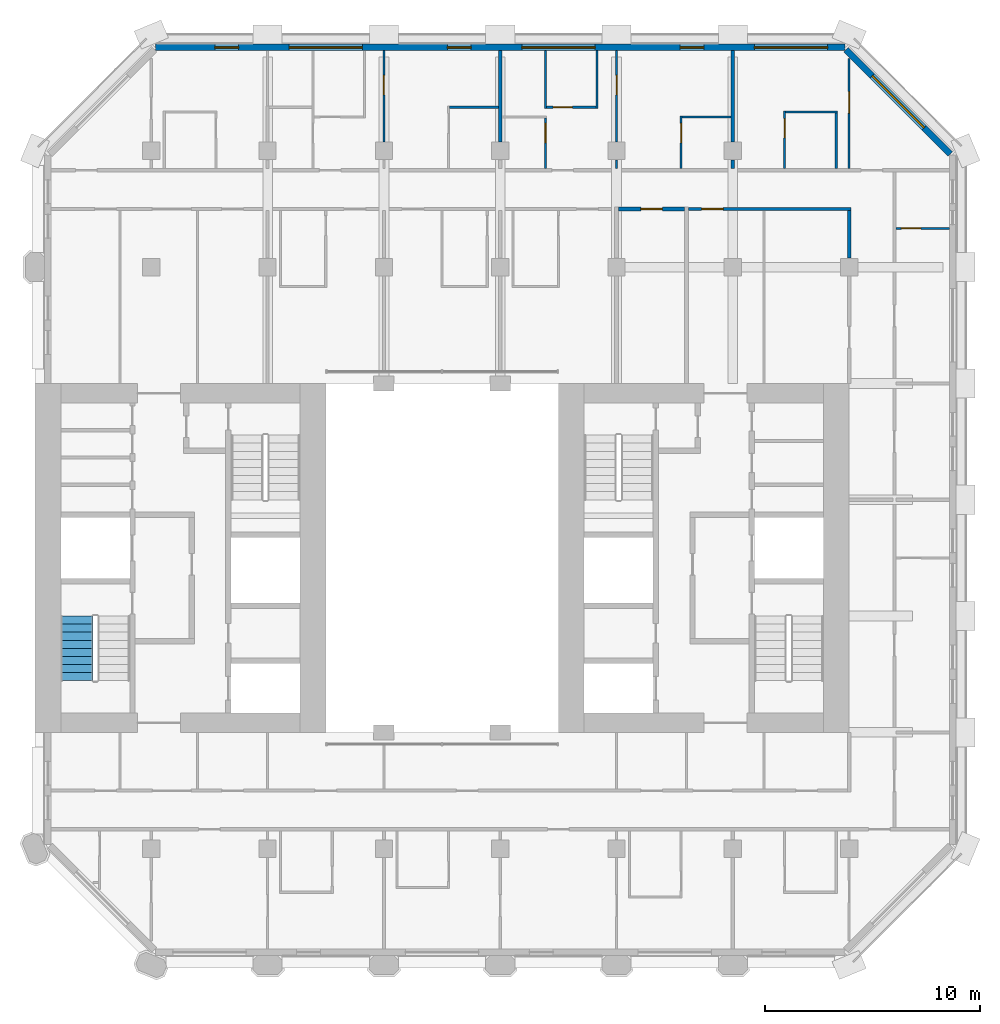
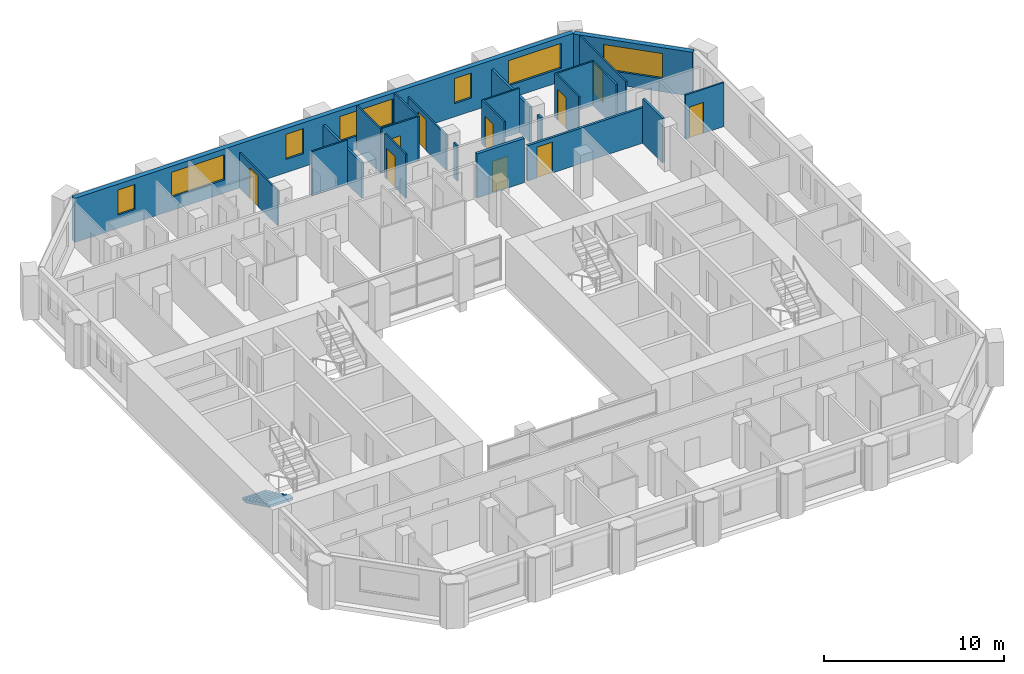
# One storey, part 9 of 13: 23 walls, 10 doors, 7 windows, 1 stair flight, 17 openings, 1 element without a shape of its own.
"""IFC4 building model written with IfcOpenShell, lengths in metres."""

from ifc_helpers import new_model, si_unit, direction, frame, frame_2d, origin, place, context, subcontext, project, spatial, polyline, rectangle, outline, extrude, material, layer, layer_set, type_object, element, fill, aggregate, save


model = new_model("IFC4")

# Units and contexts
model_context = context("Model", 3, precision=1e-05, world=origin(), true_north=direction((0.0, 1.0)))
body_context = subcontext(model_context, "Body", "Model", "MODEL_VIEW")
ifc_project = project(units=[si_unit("LENGTHUNIT", "METRE"), si_unit("AREAUNIT", "SQUARE_METRE"), si_unit("VOLUMEUNIT", "CUBIC_METRE"), si_unit("PLANEANGLEUNIT", "RADIAN"), si_unit("MASSUNIT", "GRAM", prefix="KILO")], contexts=[model_context])

# Site, building, storey
site_placement = place(None, origin())
site = spatial("IfcSite", under=ifc_project, at=site_placement, CompositionType="ELEMENT")
building_placement = place(site_placement, origin())
building = spatial("IfcBuilding", under=site, at=building_placement, Name="Tabaq Tower and Sports Hall", CompositionType="ELEMENT")
storey_placement = place(building_placement, frame((0.0, 0.0, 200.5)))
storey = spatial("IfcBuildingStorey", under=building, at=storey_placement, Name="L49", CompositionType="ELEMENT", Elevation=200.5)

# Wall, opening, door
ifc_material_1 = material(Name="Blockwork", Category="masonry")
ifc_layer_1 = layer(ifc_material_1, 0.199951171875)
ifc_layer_set_1 = layer_set([ifc_layer_1], Name="Fire compartment wall 200 Blockwork")
wall_type_1 = type_object("IfcWallType", Name="Fire compartment wall 200 Blockwork", PredefinedType="PARTITIONING", material=ifc_layer_set_1)
wall_1_placement = place(storey_placement, frame((32.5, 40.5, 0.0), z_axis=(0.0, 0.0, 1.0), x_axis=(1.0, 0.0, 0.0)))
wall_1 = element("IfcWall", 1, at=wall_1_placement, inside=storey, type_object=wall_type_1, Name="Compartment wall L49", PredefinedType="PARTITIONING", context=body_context, shape_type="SweptSolid", body=[
    extrude(rectangle(XDim=3.050048828125, YDim=0.199951171875, at=frame_2d((1.52490234375, 0.0))), origin(), (0.0, 0.0, 1.0), 3.0),
])
opening_1_placement = place(wall_1_placement, frame((1.02490234375, 0.0, 0.0)))
opening_1 = element("IfcOpeningElement", 2, at=opening_1_placement, cuts=wall_1, Name="Opening L49-015", PredefinedType="OPENING", context=body_context, shape_type="SweptSolid", body=[
    extrude(rectangle(XDim=1.0, YDim=2.10009765625, at=frame_2d((0.5, 1.050048828125))), frame((0.0, 0.10009765625, 0.0), z_axis=(0.0, -1.0, 0.0), x_axis=(1.0, 0.0, 0.0)), (0.0, 0.0, 1.0), 0.199951171875),
])
ifc_material_2 = material(Name="Steel fire door", Category="steel")
door_type_1 = type_object("IfcDoorType", Name="Riser door 1000 left hand", OperationType="SINGLE_SWING_LEFT", PredefinedType="DOOR", material=ifc_material_2)
door_1_placement = place(opening_1_placement, origin())
door_1 = element("IfcDoor", 3, at=door_1_placement, inside=storey, type_object=door_type_1, Name="Riser door L49-015", OperationType="SINGLE_SWING_LEFT", OverallHeight=2.10009765625, OverallWidth=1.0, PredefinedType="DOOR", context=body_context, shape_type="SweptSolid", body=[
    extrude(rectangle(XDim=1.0, YDim=2.10009765625, at=frame_2d((0.5, 1.050048828125))), frame((0.0, 0.02490234375, 0.0), z_axis=(0.0, -1.0, 0.0), x_axis=(1.0, 0.0, 0.0)), (0.0, 0.0, 1.0), 0.050048828125),
])
fill(opening_1, door_1)

ifc_material_3 = material(Name="Gypsum board on steel studs", Category="steel")
ifc_layer_2 = layer(ifc_material_3, 0.10009765625)
ifc_layer_set_2 = layer_set([ifc_layer_2], Name="Partition 100 Gypsum board")
wall_type_2 = type_object("IfcWallType", Name="Partition 100 Gypsum board", PredefinedType="PARTITIONING", material=ifc_layer_set_2)
wall_2_placement = place(storey_placement, frame((47.84912109375, 39.60009765625, 0.0), z_axis=(0.0, 0.0, 1.0), x_axis=(-1.0, 0.0, 0.0)))
wall_2 = element("IfcWall", 4, at=wall_2_placement, inside=storey, type_object=wall_type_2, Name="Partition wall L49", PredefinedType="PARTITIONING", context=body_context, shape_type="SweptSolid", body=[
    extrude(rectangle(XDim=2.47412109375, YDim=0.10009765625, at=frame_2d((1.237060546875, 0.0))), origin(), (0.0, 0.0, 1.0), 3.0),
])
opening_2_placement = place(wall_2_placement, frame((1.323974609375, 0.0, 0.0)))
opening_2 = element("IfcOpeningElement", 5, at=opening_2_placement, cuts=wall_2, Name="Opening L49-004", PredefinedType="OPENING", context=body_context, shape_type="SweptSolid", body=[
    extrude(rectangle(XDim=0.89990234375, YDim=2.10009765625, at=frame_2d((0.449951171875, 1.050048828125))), frame((0.0, 0.050048828125, 0.0), z_axis=(0.0, -1.0, 0.0), x_axis=(1.0, 0.0, 0.0)), (0.0, 0.0, 1.0), 0.10009765625),
])
ifc_material_4 = material(Name="Timber leaf in steel frame", Category="steel")
door_type_2 = type_object("IfcDoorType", Name="Internal door 900 right hand", OperationType="SINGLE_SWING_RIGHT", PredefinedType="DOOR", material=ifc_material_4)
door_2_placement = place(opening_2_placement, origin())
door_2 = element("IfcDoor", 6, at=door_2_placement, inside=storey, type_object=door_type_2, Name="Internal door L49-004", OperationType="SINGLE_SWING_RIGHT", OverallHeight=2.10009765625, OverallWidth=0.89990234375, PredefinedType="DOOR", context=body_context, shape_type="SweptSolid", body=[
    extrude(rectangle(XDim=0.89990234375, YDim=2.10009765625, at=frame_2d((0.449951171875, 1.050048828125))), frame((0.0, 0.02490234375, 0.0), z_axis=(0.0, -1.0, 0.0), x_axis=(1.0, 0.0, 0.0)), (0.0, 0.0, 1.0), 0.050048828125),
])
fill(opening_2, door_2)

wall_3_placement = place(storey_placement, frame((21.60009765625, 47.84912109375, 0.0), z_axis=(0.0, 0.0, 1.0), x_axis=(0.0, -1.0, 0.0)))
wall_3 = element("IfcWall", 7, at=wall_3_placement, inside=storey, type_object=wall_type_2, Name="Partition wall L49", PredefinedType="PARTITIONING", context=body_context, shape_type="SweptSolid", body=[
    extrude(rectangle(XDim=4.22900390625, YDim=0.10009765625, at=frame_2d((2.114501953125, 0.0))), origin(), (0.0, 0.0, 1.0), 2.39990234375),
])
opening_3_placement = place(wall_3_placement, frame((1.14892578125, 0.0, 0.0)))
opening_3 = element("IfcOpeningElement", 8, at=opening_3_placement, cuts=wall_3, Name="Opening L49-037", PredefinedType="OPENING", context=body_context, shape_type="SweptSolid", body=[
    extrude(rectangle(XDim=0.89990234375, YDim=2.10009765625, at=frame_2d((0.449951171875, 1.050048828125))), frame((0.0, 0.050048828125, 0.0), z_axis=(0.0, -1.0, 0.0), x_axis=(1.0, 0.0, 0.0)), (0.0, 0.0, 1.0), 0.10009765625),
])
ifc_material_5 = material(Name="Timber leaf in steel frame", Category="steel")
door_type_3 = type_object("IfcDoorType", Name="Internal door 900 left hand", OperationType="SINGLE_SWING_LEFT", PredefinedType="DOOR", material=ifc_material_5)
door_3_placement = place(opening_3_placement, origin())
door_3 = element("IfcDoor", 9, at=door_3_placement, inside=storey, type_object=door_type_3, Name="Internal door L49-037", OperationType="SINGLE_SWING_LEFT", OverallHeight=2.10009765625, OverallWidth=0.89990234375, PredefinedType="DOOR", context=body_context, shape_type="SweptSolid", body=[
    extrude(rectangle(XDim=0.89990234375, YDim=2.10009765625, at=frame_2d((0.449951171875, 1.050048828125))), frame((0.0, 0.02490234375, 0.0), z_axis=(0.0, -1.0, 0.0), x_axis=(1.0, 0.0, 0.0)), (0.0, 0.0, 1.0), 0.050048828125),
])
fill(opening_3, door_3)

# Wall
wall_4_placement = place(storey_placement, frame((24.64990234375, 45.22509765625, 0.0), z_axis=(0.0, 0.0, 1.0), x_axis=(1.0, 0.0, 0.0)))
element("IfcWall", 10, at=wall_4_placement, inside=storey, type_object=wall_type_2, Name="Partition wall L49", PredefinedType="PARTITIONING", context=body_context, shape_type="SweptSolid", body=[
    extrude(rectangle(XDim=2.275146484375, YDim=0.10009765625, at=frame_2d((1.1376953125, 0.0))), origin(), (0.0, 0.0, 1.0), 3.0),
])

# Wall, opening, door
wall_5_placement = place(storey_placement, frame((32.39990234375, 47.84912109375, 0.0), z_axis=(0.0, 0.0, 1.0), x_axis=(0.0, -1.0, 0.0)))
wall_5 = element("IfcWall", 11, at=wall_5_placement, inside=storey, type_object=wall_type_2, Name="Partition wall L49", PredefinedType="PARTITIONING", context=body_context, shape_type="SweptSolid", body=[
    extrude(rectangle(XDim=4.22900390625, YDim=0.10009765625, at=frame_2d((2.114501953125, 0.0))), origin(), (0.0, 0.0, 1.0), 2.39990234375),
])
opening_4_placement = place(wall_5_placement, frame((1.14892578125, 0.0, 0.0)))
opening_4 = element("IfcOpeningElement", 12, at=opening_4_placement, cuts=wall_5, Name="Opening L49-038", PredefinedType="OPENING", context=body_context, shape_type="SweptSolid", body=[
    extrude(rectangle(XDim=0.89990234375, YDim=2.10009765625, at=frame_2d((0.449951171875, 1.050048828125))), frame((0.0, 0.050048828125, 0.0), z_axis=(0.0, -1.0, 0.0), x_axis=(1.0, 0.0, 0.0)), (0.0, 0.0, 1.0), 0.10009765625),
])
door_4_placement = place(opening_4_placement, origin())
door_4 = element("IfcDoor", 13, at=door_4_placement, inside=storey, type_object=door_type_2, Name="Internal door L49-038", OperationType="SINGLE_SWING_RIGHT", OverallHeight=2.10009765625, OverallWidth=0.89990234375, PredefinedType="DOOR", context=body_context, shape_type="SweptSolid", body=[
    extrude(rectangle(XDim=0.89990234375, YDim=2.10009765625, at=frame_2d((0.449951171875, 1.050048828125))), frame((0.0, 0.02490234375, 0.0), z_axis=(0.0, -1.0, 0.0), x_axis=(1.0, 0.0, 0.0)), (0.0, 0.0, 1.0), 0.050048828125),
])
fill(opening_4, door_4)

# Wall
wall_6_placement = place(storey_placement, frame((32.39990234375, 42.780029296875, 0.0), z_axis=(0.0, 0.0, 1.0), x_axis=(0.0, -1.0, 0.0)))
element("IfcWall", 14, at=wall_6_placement, inside=storey, type_object=wall_type_2, Name="Partition wall L49", PredefinedType="PARTITIONING", context=body_context, shape_type="SweptSolid", body=[
    extrude(rectangle(XDim=0.405029296875, YDim=0.10009765625, at=frame_2d((0.20263671875, 0.0))), origin(), (0.0, 0.0, 1.0), 2.39990234375),
])

# Wall, opening, door
wall_7_placement = place(storey_placement, frame((35.39990234375, 42.375, 0.0), z_axis=(0.0, 0.0, 1.0), x_axis=(0.0, 1.0, 0.0)))
wall_7 = element("IfcWall", 15, at=wall_7_placement, inside=storey, type_object=wall_type_2, Name="Partition wall L49", PredefinedType="PARTITIONING", context=body_context, shape_type="SweptSolid", body=[
    extrude(rectangle(XDim=2.449951171875, YDim=0.10009765625, at=frame_2d((1.22509765625, 0.0))), origin(), (0.0, 0.0, 1.0), 3.0),
])
opening_5_placement = place(wall_7_placement, frame((1.199951171875, 0.0, 0.0)))
opening_5 = element("IfcOpeningElement", 16, at=opening_5_placement, cuts=wall_7, Name="Opening L49-009", PredefinedType="OPENING", context=body_context, shape_type="SweptSolid", body=[
    extrude(rectangle(XDim=0.89990234375, YDim=2.10009765625, at=frame_2d((0.449951171875, 1.050048828125))), frame((0.0, 0.050048828125, 0.0), z_axis=(0.0, -1.0, 0.0), x_axis=(1.0, 0.0, 0.0)), (0.0, 0.0, 1.0), 0.10009765625),
])
door_5_placement = place(opening_5_placement, origin())
door_5 = element("IfcDoor", 17, at=door_5_placement, inside=storey, type_object=door_type_3, Name="Internal door L49-009", OperationType="SINGLE_SWING_LEFT", OverallHeight=2.10009765625, OverallWidth=0.89990234375, PredefinedType="DOOR", context=body_context, shape_type="SweptSolid", body=[
    extrude(rectangle(XDim=0.89990234375, YDim=2.10009765625, at=frame_2d((0.449951171875, 1.050048828125))), frame((0.0, 0.02490234375, 0.0), z_axis=(0.0, -1.0, 0.0), x_axis=(1.0, 0.0, 0.0)), (0.0, 0.0, 1.0), 0.050048828125),
])
fill(opening_5, door_5)

# Wall
wall_8_placement = place(storey_placement, frame((35.449951171875, 44.77490234375, 0.0), z_axis=(0.0, 0.0, 1.0), x_axis=(1.0, 0.0, 0.0)))
element("IfcWall", 18, at=wall_8_placement, inside=storey, type_object=wall_type_2, Name="Partition wall L49", PredefinedType="PARTITIONING", context=body_context, shape_type="SweptSolid", body=[
    extrude(rectangle(XDim=2.275146484375, YDim=0.10009765625, at=frame_2d((1.1376953125, 0.0))), origin(), (0.0, 0.0, 1.0), 3.0),
])

# Wall, opening, door
wall_9_placement = place(storey_placement, frame((29.10009765625, 42.375, 0.0), z_axis=(0.0, 0.0, 1.0), x_axis=(0.0, 1.0, 0.0)))
wall_9 = element("IfcWall", 19, at=wall_9_placement, inside=storey, type_object=wall_type_2, Name="Partition wall L49", PredefinedType="PARTITIONING", context=body_context, shape_type="SweptSolid", body=[
    extrude(rectangle(XDim=2.35009765625, YDim=0.10009765625, at=frame_2d((1.175048828125, 0.0))), origin(), (0.0, 0.0, 1.0), 3.0),
])
opening_6_placement = place(wall_9_placement, frame((1.199951171875, 0.0, 0.0)))
opening_6 = element("IfcOpeningElement", 20, at=opening_6_placement, cuts=wall_9, Name="Opening L49-010", PredefinedType="OPENING", context=body_context, shape_type="SweptSolid", body=[
    extrude(rectangle(XDim=0.89990234375, YDim=2.10009765625, at=frame_2d((0.449951171875, 1.050048828125))), frame((0.0, 0.050048828125, 0.0), z_axis=(0.0, -1.0, 0.0), x_axis=(1.0, 0.0, 0.0)), (0.0, 0.0, 1.0), 0.10009765625),
])
door_6_placement = place(opening_6_placement, origin())
door_6 = element("IfcDoor", 21, at=door_6_placement, inside=storey, type_object=door_type_2, Name="Internal door L49-010", OperationType="SINGLE_SWING_RIGHT", OverallHeight=2.10009765625, OverallWidth=0.89990234375, PredefinedType="DOOR", context=body_context, shape_type="SweptSolid", body=[
    extrude(rectangle(XDim=0.89990234375, YDim=2.10009765625, at=frame_2d((0.449951171875, 1.050048828125))), frame((0.0, 0.02490234375, 0.0), z_axis=(0.0, -1.0, 0.0), x_axis=(1.0, 0.0, 0.0)), (0.0, 0.0, 1.0), 0.050048828125),
])
fill(opening_6, door_6)

# Walls
for number, where, z_axis, x_axis, name in (
    (22, (29.10009765625, 45.175048828125, 0.0), (0.0, 0.0, 1.0), (0.0, 1.0, 0.0), "Partition wall L49"),
    (23, (31.5, 47.84912109375, 0.0), (0.0, 0.0, 1.0), (0.0, -1.0, 0.0), "Partition wall L49"),
):
    element("IfcWall", number, at=place(storey_placement, frame(where, z_axis=z_axis, x_axis=x_axis)), inside=storey, type_object=wall_type_2, Name=name, PredefinedType="PARTITIONING", context=body_context, shape_type="SweptSolid", body=[
        extrude(rectangle(XDim=2.674072265625, YDim=0.10009765625, at=frame_2d((1.3369140625, 0.0))), origin(), (0.0, 0.0, 1.0), 3.0),
    ])

# Wall, opening, door
wall_10_placement = place(storey_placement, frame((31.449951171875, 45.22509765625, 0.0), z_axis=(0.0, 0.0, 1.0), x_axis=(-1.0, 0.0, 0.0)))
wall_10 = element("IfcWall", 24, at=wall_10_placement, inside=storey, type_object=wall_type_2, Name="Partition wall L49", PredefinedType="PARTITIONING", context=body_context, shape_type="SweptSolid", body=[
    extrude(rectangle(XDim=2.300048828125, YDim=0.10009765625, at=frame_2d((1.14990234375, 0.0))), origin(), (0.0, 0.0, 1.0), 3.0),
])
opening_7_placement = place(wall_10_placement, frame((1.10009765625, 0.0, 0.0)))
opening_7 = element("IfcOpeningElement", 25, at=opening_7_placement, cuts=wall_10, Name="Opening L49-011", PredefinedType="OPENING", context=body_context, shape_type="SweptSolid", body=[
    extrude(rectangle(XDim=0.89990234375, YDim=2.10009765625, at=frame_2d((0.449951171875, 1.050048828125))), frame((0.0, 0.050048828125, 0.0), z_axis=(0.0, -1.0, 0.0), x_axis=(1.0, 0.0, 0.0)), (0.0, 0.0, 1.0), 0.10009765625),
])
door_7_placement = place(opening_7_placement, origin())
door_7 = element("IfcDoor", 26, at=door_7_placement, inside=storey, type_object=door_type_3, Name="Internal door L49-011", OperationType="SINGLE_SWING_LEFT", OverallHeight=2.10009765625, OverallWidth=0.89990234375, PredefinedType="DOOR", context=body_context, shape_type="SweptSolid", body=[
    extrude(rectangle(XDim=0.89990234375, YDim=2.10009765625, at=frame_2d((0.449951171875, 1.050048828125))), frame((0.0, 0.02490234375, 0.0), z_axis=(0.0, -1.0, 0.0), x_axis=(1.0, 0.0, 0.0)), (0.0, 0.0, 1.0), 0.050048828125),
])
fill(opening_7, door_7)

wall_11_placement = place(storey_placement, frame((40.199951171875, 42.375, 0.0), z_axis=(0.0, 0.0, 1.0), x_axis=(0.0, 1.0, 0.0)))
wall_11 = element("IfcWall", 27, at=wall_11_placement, inside=storey, type_object=wall_type_2, Name="Partition wall L49", PredefinedType="PARTITIONING", context=body_context, shape_type="SweptSolid", body=[
    extrude(rectangle(XDim=2.675048828125, YDim=0.10009765625, at=frame_2d((1.33740234375, 0.0))), origin(), (0.0, 0.0, 1.0), 3.0),
])
opening_8_placement = place(wall_11_placement, frame((1.425048828125, 0.0, 0.0)))
opening_8 = element("IfcOpeningElement", 28, at=opening_8_placement, cuts=wall_11, Name="Opening L49-012", PredefinedType="OPENING", context=body_context, shape_type="SweptSolid", body=[
    extrude(rectangle(XDim=0.89990234375, YDim=2.10009765625, at=frame_2d((0.449951171875, 1.050048828125))), frame((0.0, 0.050048828125, 0.0), z_axis=(0.0, -1.0, 0.0), x_axis=(1.0, 0.0, 0.0)), (0.0, 0.0, 1.0), 0.10009765625),
])
door_8_placement = place(opening_8_placement, origin())
door_8 = element("IfcDoor", 29, at=door_8_placement, inside=storey, type_object=door_type_2, Name="Internal door L49-012", OperationType="SINGLE_SWING_RIGHT", OverallHeight=2.10009765625, OverallWidth=0.89990234375, PredefinedType="DOOR", context=body_context, shape_type="SweptSolid", body=[
    extrude(rectangle(XDim=0.89990234375, YDim=2.10009765625, at=frame_2d((0.449951171875, 1.050048828125))), frame((0.0, 0.02490234375, 0.0), z_axis=(0.0, -1.0, 0.0), x_axis=(1.0, 0.0, 0.0)), (0.0, 0.0, 1.0), 0.050048828125),
])
fill(opening_8, door_8)

# Walls
wall_12_placement = place(storey_placement, frame((40.25, 45.0, 0.0), z_axis=(0.0, 0.0, 1.0), x_axis=(1.0, 0.0, 0.0)))
element("IfcWall", 30, at=wall_12_placement, inside=storey, type_object=wall_type_2, Name="Partition wall L49", PredefinedType="PARTITIONING", context=body_context, shape_type="SweptSolid", body=[
    extrude(rectangle(XDim=2.39990234375, YDim=0.10009765625, at=frame_2d((1.199951171875, 0.0))), origin(), (0.0, 0.0, 1.0), 3.0),
])
wall_13_placement = place(storey_placement, frame((42.60009765625, 44.949951171875, 0.0), z_axis=(0.0, 0.0, 1.0), x_axis=(0.0, -1.0, 0.0)))
element("IfcWall", 31, at=wall_13_placement, inside=storey, type_object=wall_type_2, Name="Partition wall L49", PredefinedType="PARTITIONING", context=body_context, shape_type="SweptSolid", body=[
    extrude(rectangle(XDim=2.574951171875, YDim=0.10009765625, at=frame_2d((1.28759765625, 0.0))), origin(), (0.0, 0.0, 1.0), 3.0),
])

# Wall, opening, door
wall_14_placement = place(storey_placement, frame((43.199951171875, 42.375, 0.0), z_axis=(0.0, 0.0, 1.0), x_axis=(0.0, 1.0, 0.0)))
wall_14 = element("IfcWall", 32, at=wall_14_placement, inside=storey, type_object=wall_type_2, Name="Partition wall L49", PredefinedType="PARTITIONING", context=body_context, shape_type="SweptSolid", body=[
    extrude(rectangle(XDim=5.11279296875, YDim=0.10009765625, at=frame_2d((2.556396484375, 0.0))), origin(), (0.0, 0.0, 1.0), 3.0),
])
opening_9_placement = place(wall_14_placement, frame((2.574951171875, 0.0, 0.0)))
opening_9 = element("IfcOpeningElement", 33, at=opening_9_placement, cuts=wall_14, Name="Opening L49-039", PredefinedType="OPENING", context=body_context, shape_type="SweptSolid", body=[
    extrude(rectangle(XDim=1.0, YDim=2.10009765625, at=frame_2d((0.5, 1.050048828125))), frame((0.0, 0.050048828125, 0.0), z_axis=(0.0, -1.0, 0.0), x_axis=(1.0, 0.0, 0.0)), (0.0, 0.0, 1.0), 0.10009765625),
])
ifc_material_6 = material(Name="Timber leaf in steel frame", Category="steel")
door_type_4 = type_object("IfcDoorType", Name="Internal door 1000 right hand", OperationType="SINGLE_SWING_RIGHT", PredefinedType="DOOR", material=ifc_material_6)
door_9_placement = place(opening_9_placement, origin())
door_9 = element("IfcDoor", 34, at=door_9_placement, inside=storey, type_object=door_type_4, Name="Internal door L49-039", OperationType="SINGLE_SWING_RIGHT", OverallHeight=2.10009765625, OverallWidth=1.0, PredefinedType="DOOR", context=body_context, shape_type="SweptSolid", body=[
    extrude(rectangle(XDim=1.0, YDim=2.10009765625, at=frame_2d((0.5, 1.050048828125))), frame((0.0, 0.02490234375, 0.0), z_axis=(0.0, -1.0, 0.0), x_axis=(1.0, 0.0, 0.0)), (0.0, 0.0, 1.0), 0.050048828125),
])
fill(opening_9, door_9)

# Walls
ifc_material_7 = material(Name="Blockwork", Category="masonry")
ifc_layer_3 = layer(ifc_material_7, 0.14990234375)
ifc_layer_set_3 = layer_set([ifc_layer_3], Name="Separating wall 150 Blockwork")
wall_type_3 = type_object("IfcWallType", Name="Separating wall 150 Blockwork", PredefinedType="PARTITIONING", material=ifc_layer_set_3)
wall_15_placement = place(storey_placement, frame((27.0, 43.6201171875, 0.0), z_axis=(0.0, 0.0, 1.0), x_axis=(0.0, 1.0, 0.0)))
element("IfcWall", 35, at=wall_15_placement, inside=storey, type_object=wall_type_3, Name="Separating wall L49", PredefinedType="PARTITIONING", context=body_context, shape_type="SweptSolid", body=[
    extrude(rectangle(XDim=4.22900390625, YDim=0.14990234375, at=frame_2d((2.114501953125, 0.0))), origin(), (0.0, 0.0, 1.0), 2.39990234375),
])
wall_16_placement = place(storey_placement, frame((37.800048828125, 42.375, 0.0), z_axis=(0.0, 0.0, 1.0), x_axis=(0.0, 1.0, 0.0)))
element("IfcWall", 36, at=wall_16_placement, inside=storey, type_object=wall_type_3, Name="Separating wall L49", PredefinedType="PARTITIONING", context=body_context, shape_type="SweptSolid", body=[
    extrude(rectangle(XDim=0.405029296875, YDim=0.14990234375, at=frame_2d((0.20263671875, 0.0))), origin(), (0.0, 0.0, 1.0), 2.39990234375),
])
wall_17_placement = place(storey_placement, frame((37.800048828125, 43.6201171875, 0.0), z_axis=(0.0, 0.0, 1.0), x_axis=(0.0, 1.0, 0.0)))
element("IfcWall", 37, at=wall_17_placement, inside=storey, type_object=wall_type_3, Name="Separating wall L49", PredefinedType="PARTITIONING", context=body_context, shape_type="SweptSolid", body=[
    extrude(rectangle(XDim=4.22900390625, YDim=0.14990234375, at=frame_2d((2.114501953125, 0.0))), origin(), (0.0, 0.0, 1.0), 2.39990234375),
])

# Wall, opening, door
wall_18_placement = place(storey_placement, frame((43.27490234375, 40.5, 0.0), z_axis=(0.0, 0.0, 1.0), x_axis=(-1.0, 0.0, 0.0)))
wall_18 = element("IfcWall", 38, at=wall_18_placement, inside=storey, type_object=wall_type_3, Name="Separating wall L49", PredefinedType="PARTITIONING", context=body_context, shape_type="SweptSolid", body=[
    extrude(rectangle(XDim=7.52490234375, YDim=0.14990234375, at=frame_2d((3.762451171875, 0.0))), origin(), (0.0, 0.0, 1.0), 2.39990234375),
])
opening_10_placement = place(wall_18_placement, frame((5.925048828125, 0.0, 0.0)))
opening_10 = element("IfcOpeningElement", 39, at=opening_10_placement, cuts=wall_18, Name="Opening L49-042", PredefinedType="OPENING", context=body_context, shape_type="SweptSolid", body=[
    extrude(rectangle(XDim=1.0, YDim=2.10009765625, at=frame_2d((0.5, 1.050048828125))), frame((0.0, 0.074951171875, 0.0), z_axis=(0.0, -1.0, 0.0), x_axis=(1.0, 0.0, 0.0)), (0.0, 0.0, 1.0), 0.14990234375),
])
ifc_material_8 = material(Name="Timber leaf in steel frame", Category="steel")
door_type_5 = type_object("IfcDoorType", Name="Internal door 1000 left hand", OperationType="SINGLE_SWING_LEFT", PredefinedType="DOOR", material=ifc_material_8)
door_10_placement = place(opening_10_placement, origin())
door_10 = element("IfcDoor", 40, at=door_10_placement, inside=storey, type_object=door_type_5, Name="Internal door L49-042", OperationType="SINGLE_SWING_LEFT", OverallHeight=2.10009765625, OverallWidth=1.0, PredefinedType="DOOR", context=body_context, shape_type="SweptSolid", body=[
    extrude(rectangle(XDim=1.0, YDim=2.10009765625, at=frame_2d((0.5, 1.050048828125))), frame((0.0, 0.02490234375, 0.0), z_axis=(0.0, -1.0, 0.0), x_axis=(1.0, 0.0, 0.0)), (0.0, 0.0, 1.0), 0.050048828125),
])
fill(opening_10, door_10)

# Wall
wall_19_placement = place(storey_placement, frame((43.199951171875, 40.425048828125, 0.0), z_axis=(0.0, 0.0, 1.0), x_axis=(0.0, -1.0, 0.0)))
element("IfcWall", 41, at=wall_19_placement, inside=storey, type_object=wall_type_3, Name="Separating wall L49", PredefinedType="PARTITIONING", context=body_context, shape_type="SweptSolid", body=[
    extrude(rectangle(XDim=2.205078125, YDim=0.14990234375, at=frame_2d((1.1025390625, 0.0))), origin(), (0.0, 0.0, 1.0), 3.0),
])

# Wall, opening, window
ifc_material_9 = material(Name="White precast concrete C60/75", Category="concrete")
ifc_layer_4 = layer(ifc_material_9, 0.300048828125)
ifc_layer_set_4 = layer_set([ifc_layer_4], Name="White precast concrete C60/75 external wall 300")
wall_type_4 = type_object("IfcWallType", Name="White precast concrete C60/75 external wall 300", PredefinedType="SOLIDWALL", material=ifc_layer_set_4)
wall_20_placement = place(storey_placement, frame((47.901123046875, 43.050537109375, 0.0), z_axis=(0.0, 0.0, 1.0), x_axis=(-0.707106781187, 0.707106781187, 0.0)))
wall_20 = element("IfcWall", 42, at=wall_20_placement, inside=storey, type_object=wall_type_4, Name="External Wall L49 NE", PredefinedType="SOLIDWALL", context=body_context, shape_type="SweptSolid", body=[
    extrude(rectangle(XDim=6.85986328125, YDim=0.300048828125, at=frame_2d((3.429931640625, 0.0))), origin(), (0.0, 0.0, 1.0), 3.0),
])
opening_11_placement = place(wall_20_placement, frame((1.729736328125, 0.0, 0.89990234375)))
opening_11 = element("IfcOpeningElement", 43, at=opening_11_placement, cuts=wall_20, Name="Opening W1A", PredefinedType="OPENING", context=body_context, shape_type="SweptSolid", body=[
    extrude(rectangle(XDim=3.39990234375, YDim=1.699951171875, at=frame_2d((1.699951171875, 0.85009765625))), frame((0.0, 0.16015625, 0.0), z_axis=(0.0, -1.0, 0.0), x_axis=(1.0, 0.0, 0.0)), (0.0, 0.0, 1.0), 0.320068359375),
])
ifc_material_10 = material(Name="Aluminium framed clear glazing", Category="aluminium")
window_type_1 = type_object("IfcWindowType", Name="Window W1A", PartitioningType="SINGLE_PANEL", PredefinedType="WINDOW", material=ifc_material_10)
window_1_placement = place(opening_11_placement, origin())
window_1 = element("IfcWindow", 44, at=window_1_placement, inside=storey, type_object=window_type_1, Name="Window W1A L49", OverallHeight=1.699951171875, OverallWidth=3.39990234375, PartitioningType="SINGLE_PANEL", PredefinedType="WINDOW", context=body_context, shape_type="SweptSolid", body=[
    extrude(rectangle(XDim=3.39990234375, YDim=1.699951171875, at=frame_2d((1.699951171875, 0.85009765625))), frame((0.0, 0.030029296875, 0.0), z_axis=(0.0, -1.0, 0.0), x_axis=(1.0, 0.0, 0.0)), (0.0, 0.0, 1.0), 0.06005859375),
])
fill(opening_11, window_1)

# Wall, openings, windows
wall_21_placement = place(storey_placement, frame((43.013671875, 48.0, 0.0), z_axis=(0.0, 0.0, 1.0), x_axis=(-1.0, 0.0, 0.0)))
wall_21 = element("IfcWall", 45, at=wall_21_placement, inside=storey, type_object=wall_type_4, Name="External Wall L49 N", PredefinedType="SOLIDWALL", context=body_context, shape_type="SweptSolid", body=[
    extrude(rectangle(XDim=32.02734375, YDim=0.300048828125, at=frame_2d((16.013671875, 0.0))), origin(), (0.0, 0.0, 1.0), 3.0),
])
opening_12_placement = place(wall_21_placement, frame((0.813720703125, 0.0, 0.89990234375)))
opening_12 = element("IfcOpeningElement", 46, at=opening_12_placement, cuts=wall_21, Name="Opening W1A", PredefinedType="OPENING", context=body_context, shape_type="SweptSolid", body=[
    extrude(rectangle(XDim=3.39990234375, YDim=1.699951171875, at=frame_2d((1.699951171875, 0.85009765625))), frame((0.0, 0.16015625, 0.0), z_axis=(0.0, -1.0, 0.0), x_axis=(1.0, 0.0, 0.0)), (0.0, 0.0, 1.0), 0.320068359375),
])
opening_13_placement = place(wall_21_placement, frame((6.563720703125, 0.0, 0.89990234375)))
opening_13 = element("IfcOpeningElement", 47, at=opening_13_placement, cuts=wall_21, Name="Opening W1B", PredefinedType="OPENING", context=body_context, shape_type="SweptSolid", body=[
    extrude(rectangle(XDim=1.10009765625, YDim=1.699951171875, at=frame_2d((0.550048828125, 0.85009765625))), frame((0.0, 0.16015625, 0.0), z_axis=(0.0, -1.0, 0.0), x_axis=(1.0, 0.0, 0.0)), (0.0, 0.0, 1.0), 0.320068359375),
])
opening_14_placement = place(wall_21_placement, frame((11.613525390625, 0.0, 0.89990234375)))
opening_14 = element("IfcOpeningElement", 48, at=opening_14_placement, cuts=wall_21, Name="Opening W1A", PredefinedType="OPENING", context=body_context, shape_type="SweptSolid", body=[
    extrude(rectangle(XDim=3.39990234375, YDim=1.699951171875, at=frame_2d((1.699951171875, 0.85009765625))), frame((0.0, 0.16015625, 0.0), z_axis=(0.0, -1.0, 0.0), x_axis=(1.0, 0.0, 0.0)), (0.0, 0.0, 1.0), 0.320068359375),
])
opening_15_placement = place(wall_21_placement, frame((17.363525390625, 0.0, 0.89990234375)))
opening_15 = element("IfcOpeningElement", 49, at=opening_15_placement, cuts=wall_21, Name="Opening W1B", PredefinedType="OPENING", context=body_context, shape_type="SweptSolid", body=[
    extrude(rectangle(XDim=1.10009765625, YDim=1.699951171875, at=frame_2d((0.550048828125, 0.85009765625))), frame((0.0, 0.16015625, 0.0), z_axis=(0.0, -1.0, 0.0), x_axis=(1.0, 0.0, 0.0)), (0.0, 0.0, 1.0), 0.320068359375),
])
opening_16_placement = place(wall_21_placement, frame((22.41357421875, 0.0, 0.89990234375)))
opening_16 = element("IfcOpeningElement", 50, at=opening_16_placement, cuts=wall_21, Name="Opening W1A", PredefinedType="OPENING", context=body_context, shape_type="SweptSolid", body=[
    extrude(rectangle(XDim=3.39990234375, YDim=1.699951171875, at=frame_2d((1.699951171875, 0.85009765625))), frame((0.0, 0.16015625, 0.0), z_axis=(0.0, -1.0, 0.0), x_axis=(1.0, 0.0, 0.0)), (0.0, 0.0, 1.0), 0.320068359375),
])
opening_17_placement = place(wall_21_placement, frame((28.16357421875, 0.0, 0.89990234375)))
opening_17 = element("IfcOpeningElement", 51, at=opening_17_placement, cuts=wall_21, Name="Opening W1B", PredefinedType="OPENING", context=body_context, shape_type="SweptSolid", body=[
    extrude(rectangle(XDim=1.10009765625, YDim=1.699951171875, at=frame_2d((0.550048828125, 0.85009765625))), frame((0.0, 0.16015625, 0.0), z_axis=(0.0, -1.0, 0.0), x_axis=(1.0, 0.0, 0.0)), (0.0, 0.0, 1.0), 0.320068359375),
])
window_2_placement = place(opening_12_placement, origin())
window_2 = element("IfcWindow", 52, at=window_2_placement, inside=storey, type_object=window_type_1, Name="Window W1A L49", OverallHeight=1.699951171875, OverallWidth=3.39990234375, PartitioningType="SINGLE_PANEL", PredefinedType="WINDOW", context=body_context, shape_type="SweptSolid", body=[
    extrude(rectangle(XDim=3.39990234375, YDim=1.699951171875, at=frame_2d((1.699951171875, 0.85009765625))), frame((0.0, 0.030029296875, 0.0), z_axis=(0.0, -1.0, 0.0), x_axis=(1.0, 0.0, 0.0)), (0.0, 0.0, 1.0), 0.06005859375),
])
fill(opening_12, window_2)
window_3_placement = place(opening_14_placement, origin())
window_3 = element("IfcWindow", 53, at=window_3_placement, inside=storey, type_object=window_type_1, Name="Window W1A L49", OverallHeight=1.699951171875, OverallWidth=3.39990234375, PartitioningType="SINGLE_PANEL", PredefinedType="WINDOW", context=body_context, shape_type="SweptSolid", body=[
    extrude(rectangle(XDim=3.39990234375, YDim=1.699951171875, at=frame_2d((1.699951171875, 0.85009765625))), frame((0.0, 0.030029296875, 0.0), z_axis=(0.0, -1.0, 0.0), x_axis=(1.0, 0.0, 0.0)), (0.0, 0.0, 1.0), 0.06005859375),
])
fill(opening_14, window_3)
window_4_placement = place(opening_16_placement, origin())
window_4 = element("IfcWindow", 54, at=window_4_placement, inside=storey, type_object=window_type_1, Name="Window W1A L49", OverallHeight=1.699951171875, OverallWidth=3.39990234375, PartitioningType="SINGLE_PANEL", PredefinedType="WINDOW", context=body_context, shape_type="SweptSolid", body=[
    extrude(rectangle(XDim=3.39990234375, YDim=1.699951171875, at=frame_2d((1.699951171875, 0.85009765625))), frame((0.0, 0.030029296875, 0.0), z_axis=(0.0, -1.0, 0.0), x_axis=(1.0, 0.0, 0.0)), (0.0, 0.0, 1.0), 0.06005859375),
])
fill(opening_16, window_4)
ifc_material_11 = material(Name="Aluminium framed clear glazing", Category="aluminium")
window_type_2 = type_object("IfcWindowType", Name="Window W1B", PartitioningType="SINGLE_PANEL", PredefinedType="WINDOW", material=ifc_material_11)
window_5_placement = place(opening_13_placement, origin())
window_5 = element("IfcWindow", 55, at=window_5_placement, inside=storey, type_object=window_type_2, Name="Window W1B L49", OverallHeight=1.699951171875, OverallWidth=1.10009765625, PartitioningType="SINGLE_PANEL", PredefinedType="WINDOW", context=body_context, shape_type="SweptSolid", body=[
    extrude(rectangle(XDim=1.10009765625, YDim=1.699951171875, at=frame_2d((0.550048828125, 0.85009765625))), frame((0.0, 0.030029296875, 0.0), z_axis=(0.0, -1.0, 0.0), x_axis=(1.0, 0.0, 0.0)), (0.0, 0.0, 1.0), 0.06005859375),
])
fill(opening_13, window_5)
window_6_placement = place(opening_15_placement, origin())
window_6 = element("IfcWindow", 56, at=window_6_placement, inside=storey, type_object=window_type_2, Name="Window W1B L49", OverallHeight=1.699951171875, OverallWidth=1.10009765625, PartitioningType="SINGLE_PANEL", PredefinedType="WINDOW", context=body_context, shape_type="SweptSolid", body=[
    extrude(rectangle(XDim=1.10009765625, YDim=1.699951171875, at=frame_2d((0.550048828125, 0.85009765625))), frame((0.0, 0.030029296875, 0.0), z_axis=(0.0, -1.0, 0.0), x_axis=(1.0, 0.0, 0.0)), (0.0, 0.0, 1.0), 0.06005859375),
])
fill(opening_15, window_6)
window_7_placement = place(opening_17_placement, origin())
window_7 = element("IfcWindow", 57, at=window_7_placement, inside=storey, type_object=window_type_2, Name="Window W1B L49", OverallHeight=1.699951171875, OverallWidth=1.10009765625, PartitioningType="SINGLE_PANEL", PredefinedType="WINDOW", context=body_context, shape_type="SweptSolid", body=[
    extrude(rectangle(XDim=1.10009765625, YDim=1.699951171875, at=frame_2d((0.550048828125, 0.85009765625))), frame((0.0, 0.030029296875, 0.0), z_axis=(0.0, -1.0, 0.0), x_axis=(1.0, 0.0, 0.0)), (0.0, 0.0, 1.0), 0.06005859375),
])
fill(opening_17, window_7)

# Stair, stair flight
ifc_material_12 = material(Name="Concrete C40/50", Category="concrete")
stair_type = type_object("IfcStairType", Name="Exit stair", PredefinedType="HALF_TURN_STAIR", material=ifc_material_12)
stair_placement = place(storey_placement, origin())
stair = element("IfcStair", 58, at=stair_placement, inside=storey, type_object=stair_type, Name="L49 Exit stair ST1", PredefinedType="HALF_TURN_STAIR")
ifc_material_13 = material(Name="Concrete C40/50", Category="concrete")
stair_flight_type = type_object("IfcStairFlightType", Name="Exit stair flight", PredefinedType="STRAIGHT", material=ifc_material_13)
stair_flight_placement = place(storey_placement, frame((7.35009765625, 21.60009765625, 0.0), z_axis=(0.0, 0.0, 1.0), x_axis=(0.0, -1.0, 0.0)))
stair_flight = element("IfcStairFlight", 59, at=stair_flight_placement, type_object=stair_flight_type, Name="ST1 flight 1", NumberOfRisers=9, NumberOfTreads=8, PredefinedType="STRAIGHT", RiserHeight=0.183333333, TreadLength=0.375, context=body_context, shape_type="SweptSolid", body=[
    extrude(outline(polyline([(0.0, 0.0), (0.0, 0.183349609375), (0.375, 0.183349609375), (0.375, 0.36669921875), (0.75, 0.36669921875), (0.75, 0.550048828125), (1.125, 0.550048828125), (1.125, 0.7333984375), (1.5, 0.7333984375), (1.5, 0.916748046875), (1.875, 0.916748046875), (1.875, 1.10009765625), (2.25, 1.10009765625), (2.25, 1.283447265625), (2.625, 1.283447265625), (2.625, 1.466552734375), (3.0, 1.466552734375), (3.0, 1.64990234375), (3.0, 1.2998046875), (0.34130859375, 0.0), (0.0, 0.0)])), frame((0.0, 0.75, 0.0), z_axis=(0.0, -1.0, 0.0), x_axis=(1.0, 0.0, 0.0)), (0.0, 0.0, 1.0), 1.5),
])
aggregate(stair, [stair_flight])

save(model, "model.ifc")
